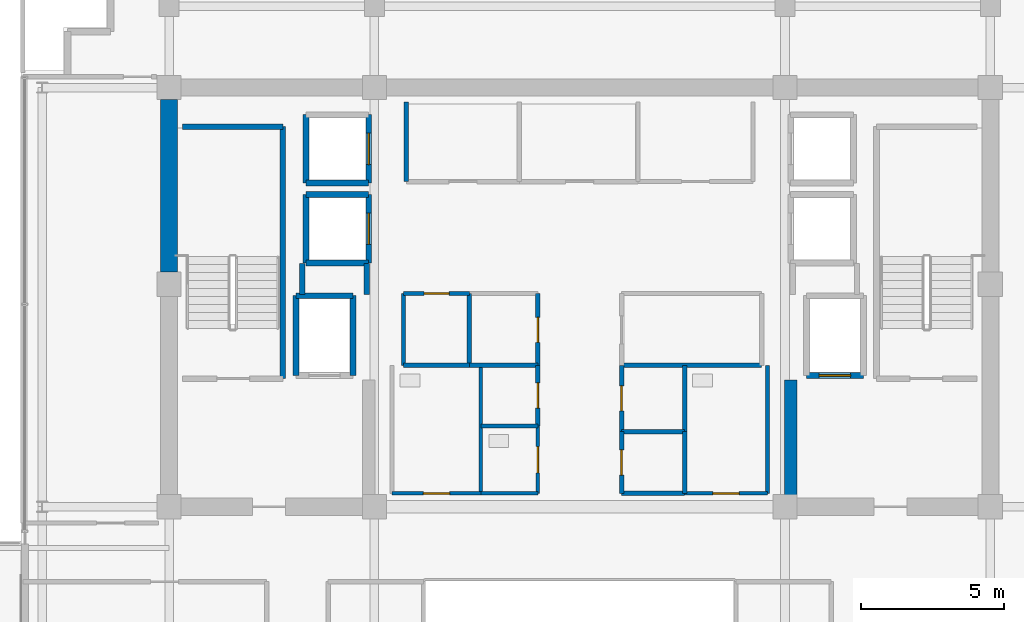
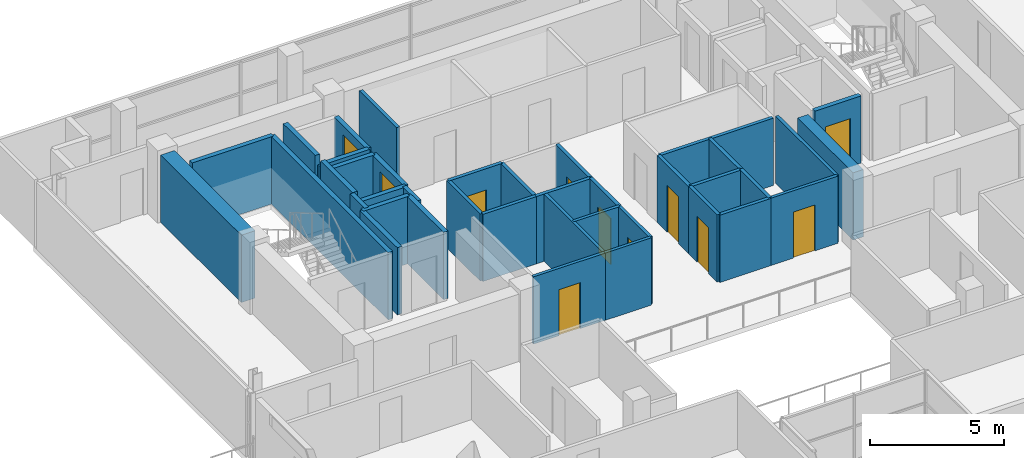
# One storey, part 16 of 21: 39 walls, 11 doors, 11 openings.
"""IFC4 building model written with IfcOpenShell, lengths in metres."""

from ifc_helpers import new_model, si_unit, direction, frame, frame_2d, origin, place, context, subcontext, project, spatial, rectangle, extrude, source, transform, mapped, material, layer, layer_set, type_object, element, fill, save


model = new_model("IFC4")

# Units and contexts
model_context = context("Model", 3, precision=1e-05, world=origin(), true_north=direction((0.0, 1.0)))
body_context = subcontext(model_context, "Body", "Model", "MODEL_VIEW")
ifc_project = project(units=[si_unit("LENGTHUNIT", "METRE"), si_unit("AREAUNIT", "SQUARE_METRE"), si_unit("VOLUMEUNIT", "CUBIC_METRE"), si_unit("PLANEANGLEUNIT", "RADIAN"), si_unit("MASSUNIT", "GRAM", prefix="KILO")], contexts=[model_context])

# Site, building, storey
site_placement = place(None, origin())
site = spatial("IfcSite", under=ifc_project, at=site_placement, CompositionType="ELEMENT")
building_placement = place(site_placement, origin())
building = spatial("IfcBuilding", under=site, at=building_placement, Name="Zarnakvel Exchange Tower", CompositionType="ELEMENT")
storey_placement = place(building_placement, frame((0.0, 0.0, 241.89990234375)))
storey = spatial("IfcBuildingStorey", under=building, at=storey_placement, Name="L68", CompositionType="ELEMENT", Elevation=241.89990234375)

# Walls
ifc_material_1 = material(Name="Concrete C50/60", Category="concrete")
ifc_layer_1 = layer(ifc_material_1, 0.60009765625)
ifc_layer_set_1 = layer_set([ifc_layer_1], Name="Concrete C50/60")
wall_type_1 = type_object("IfcWallType", Name="CW-C5", PredefinedType="SHEAR", material=ifc_layer_set_1)
wall_1_placement = place(storey_placement, frame((-14.39990234375, 7.02490234375, 0.0), z_axis=(0.0, 0.0, 1.0), x_axis=(0.0, 1.0, 0.0)))
element("IfcWall", 1, at=wall_1_placement, inside=storey, type_object=wall_type_1, Name="L68 Rear Core Shear Wall W2 (CW-C5)", PredefinedType="SHEAR", context=body_context, shape_type="SweptSolid", body=[
    extrude(rectangle(XDim=6.050048828125, YDim=0.60009765625, at=frame_2d((3.02490234375, 0.0))), origin(), (0.0, 0.0, 1.0), 3.0751953125),
])
ifc_layer_2 = layer(ifc_material_1, 0.449951171875)
ifc_layer_set_2 = layer_set([ifc_layer_2], Name="Concrete C50/60")
wall_type_2 = type_object("IfcWallType", Name="CW-C6", PredefinedType="SHEAR", material=ifc_layer_set_2)
wall_2_placement = place(storey_placement, frame((7.39990234375, -0.89990234375, 0.0), z_axis=(0.0, 0.0, 1.0), x_axis=(0.0, 1.0, 0.0)))
element("IfcWall", 2, at=wall_2_placement, inside=storey, type_object=wall_type_2, Name="L68 Rear Core Shear Wall IE (CW-C6)", PredefinedType="SHEAR", context=body_context, shape_type="SweptSolid", body=[
    extrude(rectangle(XDim=4.14990234375, YDim=0.449951171875, at=frame_2d((2.074951171875, 0.0))), origin(), (0.0, 0.0, 1.0), 3.0751953125),
])
ifc_material_2 = material(Name="Fire-Rated Gypsum Stud Partition", Category="gypsum")
ifc_layer_3 = layer(ifc_material_2, 0.14990234375)
ifc_layer_set_3 = layer_set([ifc_layer_3], Name="Fire-Rated Gypsum Stud Partition")
wall_type_3 = type_object("IfcWallType", Name="PT-01", PredefinedType="PARTITIONING", material=ifc_layer_set_3)
wall_3_placement = place(storey_placement, frame((-6.080078125, 10.199951171875, 0.0), z_axis=(0.0, 0.0, 1.0), x_axis=(0.0, 1.0, 0.0)))
element("IfcWall", 3, at=wall_3_placement, inside=storey, type_object=wall_type_3, Name="L68 Partition Wall PWALL-L68-012 (PT-01)", PredefinedType="PARTITIONING", context=body_context, shape_type="SweptSolid", body=[
    extrude(rectangle(XDim=2.800048828125, YDim=0.14990234375, at=frame_2d((1.39990234375, 0.0))), origin(), (0.0, 0.0, 1.0), 3.0751953125),
])
wall_4_placement = place(storey_placement, frame((-3.8701171875, 3.760009765625, 0.0), z_axis=(0.0, 0.0, 1.0), x_axis=(-1.0, 0.0, 0.0)))
element("IfcWall", 4, at=wall_4_placement, inside=storey, type_object=wall_type_3, Name="L68 Partition Wall PWALL-L68-018 (PT-01)", PredefinedType="PARTITIONING", context=body_context, shape_type="SweptSolid", body=[
    extrude(rectangle(XDim=2.309814453125, YDim=0.14990234375, at=frame_2d((1.15478515625, 0.0))), origin(), (0.0, 0.0, 1.0), 3.0751953125),
])

# Wall, opening, door
wall_5_placement = place(storey_placement, frame((-6.179931640625, 6.280029296875, 0.0), z_axis=(0.0, 0.0, 1.0), x_axis=(1.0, 0.0, 0.0)))
wall_5 = element("IfcWall", 5, at=wall_5_placement, inside=storey, type_object=wall_type_3, Name="L68 Partition Wall PWALL-L68-019 (PT-01)", PredefinedType="PARTITIONING", context=body_context, shape_type="SweptSolid", body=[
    extrude(rectangle(XDim=2.309814453125, YDim=0.14990234375, at=frame_2d((1.15478515625, 0.0))), origin(), (0.0, 0.0, 1.0), 3.0751953125),
])
opening_1_placement = place(wall_5_placement, frame((0.719970703125, 0.0, 0.0)))
opening_1 = element("IfcOpeningElement", 6, at=opening_1_placement, cuts=wall_5, Name="Opening D-L68-08", PredefinedType="OPENING", context=body_context, shape_type="SweptSolid", body=[
    extrude(rectangle(XDim=0.8798828125, YDim=2.10009765625, at=frame_2d((0.43994140625, 1.050048828125))), frame((0.0, 0.0849609375, 0.0), z_axis=(0.0, -1.0, 0.0), x_axis=(1.0, 0.0, 0.0)), (0.0, 0.0, 1.0), 0.169921875),
])
ifc_material_3 = material(Name="Painted Galvanised Steel S355", Category="steel")
door_type_1 = type_object("IfcDoorType", Name="DT-08", OperationType="NOTDEFINED", PredefinedType="DOOR", material=ifc_material_3)
shared_shape_1 = source(origin(), body_context, "Body", "SweptSolid", [
    extrude(rectangle(XDim=0.8798828125, YDim=2.10009765625, at=frame_2d((0.43994140625, 1.050048828125))), frame((0.0, 0.02490234375, 0.0), z_axis=(0.0, -1.0, 0.0), x_axis=(1.0, 0.0, 0.0)), (0.0, 0.0, 1.0), 0.050048828125),
])
door_1_placement = place(opening_1_placement, origin())
door_1 = element("IfcDoor", 7, at=door_1_placement, inside=storey, type_object=door_type_1, Name="L68 Audit Filing Store Door D-L68-08", OperationType="SINGLE_SWING_RIGHT", OverallHeight=2.10009765625, OverallWidth=0.8798828125, PredefinedType="DOOR", context=body_context, shape_type="MappedRepresentation", body=[
    mapped(shared_shape_1, transform((0.0, 0.0, 0.0), x_axis=(1.0, 0.0, 0.0), y_axis=(0.0, 1.0, 0.0), z_axis=(0.0, 0.0, 1.0), scale=1.0)),
])
fill(opening_1, door_1)

# Walls
for number, where, z_axis, x_axis, name in (
    (8, (-6.179931640625, 3.760009765625, 0.0), (0.0, 0.0, 1.0), (0.0, 1.0, 0.0), "L68 Partition Wall PWALL-L68-020 (PT-01)"),
    (9, (-3.8701171875, 6.280029296875, 0.0), (0.0, 0.0, 1.0), (0.0, -1.0, 0.0), "L68 Partition Wall PWALL-L68-021 (PT-01)"),
):
    element("IfcWall", number, at=place(storey_placement, frame(where, z_axis=z_axis, x_axis=x_axis)), inside=storey, type_object=wall_type_3, Name=name, PredefinedType="PARTITIONING", context=body_context, shape_type="SweptSolid", body=[
        extrude(rectangle(XDim=2.52001953125, YDim=0.14990234375, at=frame_2d((1.260009765625, 0.0))), origin(), (0.0, 0.0, 1.0), 3.0751953125),
    ])
wall_6_placement = place(storey_placement, frame((-1.469970703125, 3.760009765625, 0.0), z_axis=(0.0, 0.0, 1.0), x_axis=(-1.0, 0.0, 0.0)))
element("IfcWall", 10, at=wall_6_placement, inside=storey, type_object=wall_type_3, Name="L68 Partition Wall PWALL-L68-022 (PT-01)", PredefinedType="PARTITIONING", context=body_context, shape_type="SweptSolid", body=[
    extrude(rectangle(XDim=2.400146484375, YDim=0.14990234375, at=frame_2d((1.2001953125, 0.0))), origin(), (0.0, 0.0, 1.0), 3.0751953125),
])

# Wall, opening, door
wall_7_placement = place(storey_placement, frame((-1.469970703125, 6.280029296875, 0.0), z_axis=(0.0, 0.0, 1.0), x_axis=(0.0, -1.0, 0.0)))
wall_7 = element("IfcWall", 11, at=wall_7_placement, inside=storey, type_object=wall_type_3, Name="L68 Partition Wall PWALL-L68-024 (PT-01)", PredefinedType="PARTITIONING", context=body_context, shape_type="SweptSolid", body=[
    extrude(rectangle(XDim=2.52001953125, YDim=0.14990234375, at=frame_2d((1.260009765625, 0.0))), origin(), (0.0, 0.0, 1.0), 3.0751953125),
])
opening_2_placement = place(wall_7_placement, frame((0.840087890625, 0.0, 0.0)))
opening_2 = element("IfcOpeningElement", 12, at=opening_2_placement, cuts=wall_7, Name="Opening D-L68-09", PredefinedType="OPENING", context=body_context, shape_type="SweptSolid", body=[
    extrude(rectangle(XDim=0.8798828125, YDim=2.10009765625, at=frame_2d((0.43994140625, 1.050048828125))), frame((0.0, 0.0849609375, 0.0), z_axis=(0.0, -1.0, 0.0), x_axis=(1.0, 0.0, 0.0)), (0.0, 0.0, 1.0), 0.169921875),
])
door_2_placement = place(opening_2_placement, origin())
door_2 = element("IfcDoor", 13, at=door_2_placement, inside=storey, type_object=door_type_1, Name="L68 Core Records Store Door D-L68-09", OperationType="SINGLE_SWING_LEFT", OverallHeight=2.10009765625, OverallWidth=0.8798828125, PredefinedType="DOOR", context=body_context, shape_type="MappedRepresentation", body=[
    mapped(shared_shape_1, transform((0.0, 0.0, 0.0), x_axis=(1.0, 0.0, 0.0), y_axis=(0.0, 1.0, 0.0), z_axis=(0.0, 0.0, 1.0), scale=1.0)),
])
fill(opening_2, door_2)

# Wall
wall_8_placement = place(storey_placement, frame((6.3798828125, 3.760009765625, 0.0), z_axis=(0.0, 0.0, 1.0), x_axis=(-1.0, 0.0, 0.0)))
element("IfcWall", 14, at=wall_8_placement, inside=storey, type_object=wall_type_3, Name="L68 Partition Wall PWALL-L68-025 (PT-01)", PredefinedType="PARTITIONING", context=body_context, shape_type="SweptSolid", body=[
    extrude(rectangle(XDim=4.909912109375, YDim=0.14990234375, at=frame_2d((2.455078125, 0.0))), origin(), (0.0, 0.0, 1.0), 3.0751953125),
])

# Wall, opening, door
wall_9_placement = place(storey_placement, frame((-1.469970703125, 3.760009765625, 0.0), z_axis=(0.0, 0.0, 1.0), x_axis=(0.0, -1.0, 0.0)))
wall_9 = element("IfcWall", 15, at=wall_9_placement, inside=storey, type_object=wall_type_3, Name="L68 Partition Wall PWALL-L68-035 (PT-01)", PredefinedType="PARTITIONING", context=body_context, shape_type="SweptSolid", body=[
    extrude(rectangle(XDim=2.130126953125, YDim=0.14990234375, at=frame_2d((1.06494140625, 0.0))), origin(), (0.0, 0.0, 1.0), 3.0751953125),
])
opening_3_placement = place(wall_9_placement, frame((0.6201171875, 0.0, 0.0)))
opening_3 = element("IfcOpeningElement", 16, at=opening_3_placement, cuts=wall_9, Name="Opening D-L68-13", PredefinedType="OPENING", context=body_context, shape_type="SweptSolid", body=[
    extrude(rectangle(XDim=0.8798828125, YDim=2.10009765625, at=frame_2d((0.43994140625, 1.050048828125))), frame((0.0, 0.0849609375, 0.0), z_axis=(0.0, -1.0, 0.0), x_axis=(1.0, 0.0, 0.0)), (0.0, 0.0, 1.0), 0.169921875),
])
door_3_placement = place(opening_3_placement, origin())
door_3 = element("IfcDoor", 17, at=door_3_placement, inside=storey, type_object=door_type_1, Name="L68 Core Comms Room Door D-L68-13", OperationType="SINGLE_SWING_LEFT", OverallHeight=2.10009765625, OverallWidth=0.8798828125, PredefinedType="DOOR", context=body_context, shape_type="MappedRepresentation", body=[
    mapped(shared_shape_1, transform((0.0, 0.0, 0.0), x_axis=(1.0, 0.0, 0.0), y_axis=(0.0, 1.0, 0.0), z_axis=(0.0, 0.0, 1.0), scale=1.0)),
])
fill(opening_3, door_3)

# Walls
for number, where, z_axis, x_axis, name in (
    (18, (3.679931640625, -0.72998046875, 0.0), (0.0, 0.0, 1.0), (-1.0, 0.0, 0.0), "L68 Partition Wall PWALL-L68-036 (PT-01)"),
    (19, (1.469970703125, 1.429931640625, 0.0), (0.0, 0.0, 1.0), (1.0, 0.0, 0.0), "L68 Partition Wall PWALL-L68-037 (PT-01)"),
):
    element("IfcWall", number, at=place(storey_placement, frame(where, z_axis=z_axis, x_axis=x_axis)), inside=storey, type_object=wall_type_3, Name=name, PredefinedType="PARTITIONING", context=body_context, shape_type="SweptSolid", body=[
        extrude(rectangle(XDim=2.2099609375, YDim=0.14990234375, at=frame_2d((1.10498046875, 0.0))), origin(), (0.0, 0.0, 1.0), 3.0751953125),
    ])

# Wall, opening, door
wall_10_placement = place(storey_placement, frame((1.469970703125, -0.72998046875, 0.0), z_axis=(0.0, 0.0, 1.0), x_axis=(0.0, 1.0, 0.0)))
wall_10 = element("IfcWall", 20, at=wall_10_placement, inside=storey, type_object=wall_type_3, Name="L68 Partition Wall PWALL-L68-038 (PT-01)", PredefinedType="PARTITIONING", context=body_context, shape_type="SweptSolid", body=[
    extrude(rectangle(XDim=2.159912109375, YDim=0.14990234375, at=frame_2d((1.080078125, 0.0))), origin(), (0.0, 0.0, 1.0), 3.0751953125),
])
opening_4_placement = place(wall_10_placement, frame((0.639892578125, 0.0, 0.0)))
opening_4 = element("IfcOpeningElement", 21, at=opening_4_placement, cuts=wall_10, Name="Opening D-L68-14", PredefinedType="OPENING", context=body_context, shape_type="SweptSolid", body=[
    extrude(rectangle(XDim=0.8798828125, YDim=2.10009765625, at=frame_2d((0.43994140625, 1.050048828125))), frame((0.0, 0.0849609375, 0.0), z_axis=(0.0, -1.0, 0.0), x_axis=(1.0, 0.0, 0.0)), (0.0, 0.0, 1.0), 0.169921875),
])
door_4_placement = place(opening_4_placement, origin())
door_4 = element("IfcDoor", 22, at=door_4_placement, inside=storey, type_object=door_type_1, Name="L68 Janitor Store Door D-L68-14", OperationType="SINGLE_SWING_RIGHT", OverallHeight=2.10009765625, OverallWidth=0.8798828125, PredefinedType="DOOR", context=body_context, shape_type="MappedRepresentation", body=[
    mapped(shared_shape_1, transform((0.0, 0.0, 0.0), x_axis=(1.0, 0.0, 0.0), y_axis=(0.0, 1.0, 0.0), z_axis=(0.0, 0.0, 1.0), scale=1.0)),
])
fill(opening_4, door_4)

# Wall
wall_11_placement = place(storey_placement, frame((3.679931640625, 1.429931640625, 0.0), z_axis=(0.0, 0.0, 1.0), x_axis=(0.0, -1.0, 0.0)))
element("IfcWall", 23, at=wall_11_placement, inside=storey, type_object=wall_type_3, Name="L68 Partition Wall PWALL-L68-039 (PT-01)", PredefinedType="PARTITIONING", context=body_context, shape_type="SweptSolid", body=[
    extrude(rectangle(XDim=2.159912109375, YDim=0.14990234375, at=frame_2d((1.080078125, 0.0))), origin(), (0.0, 0.0, 1.0), 3.0751953125),
])

# Wall, opening, door
wall_12_placement = place(storey_placement, frame((1.469970703125, 1.429931640625, 0.0), z_axis=(0.0, 0.0, 1.0), x_axis=(0.0, 1.0, 0.0)))
wall_12 = element("IfcWall", 24, at=wall_12_placement, inside=storey, type_object=wall_type_3, Name="L68 Partition Wall PWALL-L68-040 (PT-01)", PredefinedType="PARTITIONING", context=body_context, shape_type="SweptSolid", body=[
    extrude(rectangle(XDim=2.330078125, YDim=0.14990234375, at=frame_2d((1.1650390625, 0.0))), origin(), (0.0, 0.0, 1.0), 3.0751953125),
])
opening_5_placement = place(wall_12_placement, frame((0.72998046875, 0.0, 0.0)))
opening_5 = element("IfcOpeningElement", 25, at=opening_5_placement, cuts=wall_12, Name="Opening D-L68-15", PredefinedType="OPENING", context=body_context, shape_type="SweptSolid", body=[
    extrude(rectangle(XDim=0.8798828125, YDim=2.14990234375, at=frame_2d((0.43994140625, 1.074951171875))), frame((0.0, 0.0849609375, 0.0), z_axis=(0.0, -1.0, 0.0), x_axis=(1.0, 0.0, 0.0)), (0.0, 0.0, 1.0), 0.169921875),
])
ifc_material_4 = material(Name="Timber Acoustic Veneer", Category="wood")
door_type_2 = type_object("IfcDoorType", Name="DT-05", OperationType="NOTDEFINED", PredefinedType="DOOR", material=ifc_material_4)
shared_shape_2 = source(origin(), body_context, "Body", "SweptSolid", [
    extrude(rectangle(XDim=0.8798828125, YDim=2.14990234375, at=frame_2d((0.43994140625, 1.074951171875))), frame((0.0, 0.02490234375, 0.0), z_axis=(0.0, -1.0, 0.0), x_axis=(1.0, 0.0, 0.0)), (0.0, 0.0, 1.0), 0.050048828125),
])
door_5_placement = place(opening_5_placement, origin())
door_5 = element("IfcDoor", 26, at=door_5_placement, inside=storey, type_object=door_type_2, Name="L68 Stationery Store Door D-L68-15", OperationType="SINGLE_SWING_LEFT", OverallHeight=2.14990234375, OverallWidth=0.8798828125, PredefinedType="DOOR", context=body_context, shape_type="MappedRepresentation", body=[
    mapped(shared_shape_2, transform((0.0, 0.0, 0.0), x_axis=(1.0, 0.0, 0.0), y_axis=(0.0, 1.0, 0.0), z_axis=(0.0, 0.0, 1.0), scale=1.0)),
])
fill(opening_5, door_5)

# Walls
wall_13_placement = place(storey_placement, frame((3.679931640625, 3.760009765625, 0.0), z_axis=(0.0, 0.0, 1.0), x_axis=(0.0, -1.0, 0.0)))
element("IfcWall", 27, at=wall_13_placement, inside=storey, type_object=wall_type_3, Name="L68 Partition Wall PWALL-L68-041 (PT-01)", PredefinedType="PARTITIONING", context=body_context, shape_type="SweptSolid", body=[
    extrude(rectangle(XDim=2.330078125, YDim=0.14990234375, at=frame_2d((1.1650390625, 0.0))), origin(), (0.0, 0.0, 1.0), 3.0751953125),
])
ifc_layer_4 = layer(ifc_material_2, 0.179931640625)
ifc_layer_set_4 = layer_set([ifc_layer_4], Name="Fire-Rated Gypsum Stud Partition")
wall_type_4 = type_object("IfcWallType", Name="PT-02", PredefinedType="PARTITIONING", material=ifc_layer_set_4)
wall_14_placement = place(storey_placement, frame((-9.72998046875, 6.239990234375, 0.0), z_axis=(0.0, 0.0, 1.0), x_axis=(0.0, 1.0, 0.0)))
element("IfcWall", 28, at=wall_14_placement, inside=storey, type_object=wall_type_4, Name="L68 Partition Wall PWALL-L68-007 (PT-02)", PredefinedType="PARTITIONING", context=body_context, shape_type="SweptSolid", body=[
    extrude(rectangle(XDim=1.090087890625, YDim=0.179931640625, at=frame_2d((0.544921875, 0.0))), origin(), (0.0, 0.0, 1.0), 3.0751953125),
])
wall_15_placement = place(storey_placement, frame((-7.469970703125, 7.330078125, 0.0), z_axis=(0.0, 0.0, 1.0), x_axis=(0.0, -1.0, 0.0)))
element("IfcWall", 29, at=wall_15_placement, inside=storey, type_object=wall_type_4, Name="L68 Partition Wall PWALL-L68-008 (PT-02)", PredefinedType="PARTITIONING", context=body_context, shape_type="SweptSolid", body=[
    extrude(rectangle(XDim=1.090087890625, YDim=0.179931640625, at=frame_2d((0.544921875, 0.0))), origin(), (0.0, 0.0, 1.0), 2.614990234375),
])

# Wall, opening, door
ifc_material_5 = material(Name="Moisture-Resistant Tile-Faced Partition", Category="gypsum")
ifc_layer_5 = layer(ifc_material_5, 0.135009765625)
ifc_layer_set_5 = layer_set([ifc_layer_5], Name="Moisture-Resistant Tile-Faced Partition")
wall_type_5 = type_object("IfcWallType", Name="PT-03", PredefinedType="PARTITIONING", material=ifc_layer_set_5)
wall_16_placement = place(storey_placement, frame((-3.469970703125, -0.72998046875, 0.0), z_axis=(0.0, 0.0, 1.0), x_axis=(-1.0, 0.0, 0.0)))
wall_16 = element("IfcWall", 30, at=wall_16_placement, inside=storey, type_object=wall_type_5, Name="L68 Partition Wall PWALL-L68-029 (PT-03)", PredefinedType="PARTITIONING", context=body_context, shape_type="SweptSolid", body=[
    extrude(rectangle(XDim=3.110107421875, YDim=0.135009765625, at=frame_2d((1.55517578125, 0.0))), origin(), (0.0, 0.0, 1.0), 3.0751953125),
])
opening_6_placement = place(wall_16_placement, frame((1.090087890625, 0.0, 0.0)))
opening_6 = element("IfcOpeningElement", 31, at=opening_6_placement, cuts=wall_16, Name="Opening D-L68-11", PredefinedType="OPENING", context=body_context, shape_type="SweptSolid", body=[
    extrude(rectangle(XDim=0.919921875, YDim=2.10009765625, at=frame_2d((0.4599609375, 1.050048828125))), frame((0.0, 0.077392578125, 0.0), z_axis=(0.0, -1.0, 0.0), x_axis=(1.0, 0.0, 0.0)), (0.0, 0.0, 1.0), 0.155029296875),
])
ifc_material_6 = material(Name="Moisture-Resistant Laminate Timber", Category="wood")
door_type_3 = type_object("IfcDoorType", Name="DT-07", OperationType="NOTDEFINED", PredefinedType="DOOR", material=ifc_material_6)
shared_shape_3 = source(origin(), body_context, "Body", "SweptSolid", [
    extrude(rectangle(XDim=0.919921875, YDim=2.10009765625, at=frame_2d((0.4599609375, 1.050048828125))), frame((0.0, 0.02490234375, 0.0), z_axis=(0.0, -1.0, 0.0), x_axis=(1.0, 0.0, 0.0)), (0.0, 0.0, 1.0), 0.050048828125),
])
door_6_placement = place(opening_6_placement, origin())
door_6 = element("IfcDoor", 32, at=door_6_placement, inside=storey, type_object=door_type_3, Name="L68 Male Toilet Door D-L68-11", OperationType="SINGLE_SWING_LEFT", OverallHeight=2.10009765625, OverallWidth=0.919921875, PredefinedType="DOOR", context=body_context, shape_type="MappedRepresentation", body=[
    mapped(shared_shape_3, transform((0.0, 0.0, 0.0), x_axis=(1.0, 0.0, 0.0), y_axis=(0.0, 1.0, 0.0), z_axis=(0.0, 0.0, 1.0), scale=1.0)),
])
fill(opening_6, door_6)

# Walls
wall_17_placement = place(storey_placement, frame((-3.469970703125, 3.760009765625, 0.0), z_axis=(0.0, 0.0, 1.0), x_axis=(0.0, -1.0, 0.0)))
element("IfcWall", 33, at=wall_17_placement, inside=storey, type_object=wall_type_5, Name="L68 Partition Wall PWALL-L68-031 (PT-03)", PredefinedType="PARTITIONING", context=body_context, shape_type="SweptSolid", body=[
    extrude(rectangle(XDim=4.489990234375, YDim=0.135009765625, at=frame_2d((2.2451171875, 0.0))), origin(), (0.0, 0.0, 1.0), 3.0751953125),
])
for number, where, z_axis, x_axis, name in (
    (34, (-1.469970703125, -0.72998046875, 0.0), (0.0, 0.0, 1.0), (-1.0, 0.0, 0.0), "L68 Partition Wall PWALL-L68-032 (PT-03)"),
    (35, (-3.469970703125, 1.6298828125, 0.0), (0.0, 0.0, 1.0), (1.0, 0.0, 0.0), "L68 Partition Wall PWALL-L68-033 (PT-03)"),
):
    element("IfcWall", number, at=place(storey_placement, frame(where, z_axis=z_axis, x_axis=x_axis)), inside=storey, type_object=wall_type_5, Name=name, PredefinedType="PARTITIONING", context=body_context, shape_type="SweptSolid", body=[
        extrude(rectangle(XDim=2.0, YDim=0.135009765625, at=frame_2d((1.0, 0.0))), origin(), (0.0, 0.0, 1.0), 3.0751953125),
    ])

# Wall, opening, door
wall_18_placement = place(storey_placement, frame((-1.469970703125, 1.6298828125, 0.0), z_axis=(0.0, 0.0, 1.0), x_axis=(0.0, -1.0, 0.0)))
wall_18 = element("IfcWall", 36, at=wall_18_placement, inside=storey, type_object=wall_type_5, Name="L68 Partition Wall PWALL-L68-034 (PT-03)", PredefinedType="PARTITIONING", context=body_context, shape_type="SweptSolid", body=[
    extrude(rectangle(XDim=2.35986328125, YDim=0.135009765625, at=frame_2d((1.179931640625, 0.0))), origin(), (0.0, 0.0, 1.0), 3.0751953125),
])
opening_7_placement = place(wall_18_placement, frame((0.719970703125, 0.0, 0.0)))
opening_7 = element("IfcOpeningElement", 37, at=opening_7_placement, cuts=wall_18, Name="Opening D-L68-12", PredefinedType="OPENING", context=body_context, shape_type="SweptSolid", body=[
    extrude(rectangle(XDim=0.919921875, YDim=2.10009765625, at=frame_2d((0.4599609375, 1.050048828125))), frame((0.0, 0.077392578125, 0.0), z_axis=(0.0, -1.0, 0.0), x_axis=(1.0, 0.0, 0.0)), (0.0, 0.0, 1.0), 0.155029296875),
])
door_7_placement = place(opening_7_placement, origin())
door_7 = element("IfcDoor", 38, at=door_7_placement, inside=storey, type_object=door_type_3, Name="L68 Accessible Toilet Door D-L68-12", OperationType="SINGLE_SWING_RIGHT", OverallHeight=2.10009765625, OverallWidth=0.919921875, PredefinedType="DOOR", context=body_context, shape_type="MappedRepresentation", body=[
    mapped(shared_shape_3, transform((0.0, 0.0, 0.0), x_axis=(1.0, 0.0, 0.0), y_axis=(0.0, 1.0, 0.0), z_axis=(0.0, 0.0, 1.0), scale=1.0)),
])
fill(opening_7, door_7)

wall_19_placement = place(storey_placement, frame((6.580078125, -0.72998046875, 0.0), z_axis=(0.0, 0.0, 1.0), x_axis=(-1.0, 0.0, 0.0)))
wall_19 = element("IfcWall", 39, at=wall_19_placement, inside=storey, type_object=wall_type_5, Name="L68 Partition Wall PWALL-L68-042 (PT-03)", PredefinedType="PARTITIONING", context=body_context, shape_type="SweptSolid", body=[
    extrude(rectangle(XDim=2.900146484375, YDim=0.135009765625, at=frame_2d((1.4501953125, 0.0))), origin(), (0.0, 0.0, 1.0), 3.0751953125),
])
opening_8_placement = place(wall_19_placement, frame((0.989990234375, 0.0, 0.0)))
opening_8 = element("IfcOpeningElement", 40, at=opening_8_placement, cuts=wall_19, Name="Opening D-L68-16", PredefinedType="OPENING", context=body_context, shape_type="SweptSolid", body=[
    extrude(rectangle(XDim=0.919921875, YDim=2.10009765625, at=frame_2d((0.4599609375, 1.050048828125))), frame((0.0, 0.077392578125, 0.0), z_axis=(0.0, -1.0, 0.0), x_axis=(1.0, 0.0, 0.0)), (0.0, 0.0, 1.0), 0.155029296875),
])
door_8_placement = place(opening_8_placement, origin())
door_8 = element("IfcDoor", 41, at=door_8_placement, inside=storey, type_object=door_type_3, Name="L68 Female Toilet Door D-L68-16", OperationType="SINGLE_SWING_RIGHT", OverallHeight=2.10009765625, OverallWidth=0.919921875, PredefinedType="DOOR", context=body_context, shape_type="MappedRepresentation", body=[
    mapped(shared_shape_3, transform((0.0, 0.0, 0.0), x_axis=(1.0, 0.0, 0.0), y_axis=(0.0, 1.0, 0.0), z_axis=(0.0, 0.0, 1.0), scale=1.0)),
])
fill(opening_8, door_8)

# Walls
wall_20_placement = place(storey_placement, frame((6.580078125, 3.760009765625, 0.0), z_axis=(0.0, 0.0, 1.0), x_axis=(0.0, -1.0, 0.0)))
element("IfcWall", 42, at=wall_20_placement, inside=storey, type_object=wall_type_5, Name="L68 Partition Wall PWALL-L68-043 (PT-03)", PredefinedType="PARTITIONING", context=body_context, shape_type="SweptSolid", body=[
    extrude(rectangle(XDim=4.489990234375, YDim=0.135009765625, at=frame_2d((2.2451171875, 0.0))), origin(), (0.0, 0.0, 1.0), 3.0751953125),
])
ifc_material_7 = material(Name="Concrete C40/50", Category="concrete")
ifc_layer_6 = layer(ifc_material_7, 0.199951171875)
ifc_layer_set_6 = layer_set([ifc_layer_6], Name="Concrete C40/50")
wall_type_6 = type_object("IfcWallType", Name="SW-01", PredefinedType="SOLIDWALL", material=ifc_layer_set_6)
wall_21_placement = place(storey_placement, frame((-9.949951171875, 6.199951171875, 0.0), z_axis=(0.0, 0.0, 1.0), x_axis=(1.0, 0.0, 0.0)))
element("IfcWall", 43, at=wall_21_placement, inside=storey, type_object=wall_type_6, Name="L68 FL-01 Hoistway Wall North", PredefinedType="SOLIDWALL", context=body_context, shape_type="SweptSolid", body=[
    extrude(rectangle(XDim=2.0, YDim=0.199951171875, at=frame_2d((1.0, 0.0))), origin(), (0.0, 0.0, 1.0), 3.0751953125),
])
for number, where, z_axis, x_axis, name in (
    (44, (-9.949951171875, 3.39990234375, 0.0), (0.0, 0.0, 1.0), (0.0, 1.0, 0.0), "L68 FL-01 Hoistway Wall West"),
    (45, (-7.949951171875, 6.199951171875, 0.0), (0.0, 0.0, 1.0), (0.0, -1.0, 0.0), "L68 FL-01 Hoistway Wall East"),
):
    element("IfcWall", number, at=place(storey_placement, frame(where, z_axis=z_axis, x_axis=x_axis)), inside=storey, type_object=wall_type_6, Name=name, PredefinedType="SOLIDWALL", context=body_context, shape_type="SweptSolid", body=[
        extrude(rectangle(XDim=2.800048828125, YDim=0.199951171875, at=frame_2d((1.39990234375, 0.0))), origin(), (0.0, 0.0, 1.0), 3.0751953125),
    ])

# Wall, opening, door
wall_22_placement = place(storey_placement, frame((9.949951171875, 3.39990234375, 0.0), z_axis=(0.0, 0.0, 1.0), x_axis=(-1.0, 0.0, 0.0)))
wall_22 = element("IfcWall", 46, at=wall_22_placement, inside=storey, type_object=wall_type_6, Name="L68 FL-02 Hoistway Wall South", PredefinedType="SOLIDWALL", context=body_context, shape_type="SweptSolid", body=[
    extrude(rectangle(XDim=2.0, YDim=0.199951171875, at=frame_2d((1.0, 0.0))), origin(), (0.0, 0.0, 1.0), 3.0751953125),
])
opening_9_placement = place(wall_22_placement, frame((0.449951171875, 0.0, 0.0)))
opening_9 = element("IfcOpeningElement", 47, at=opening_9_placement, cuts=wall_22, Name="Opening LD-FL-02-L68", PredefinedType="OPENING", context=body_context, shape_type="SweptSolid", body=[
    extrude(rectangle(XDim=1.10009765625, YDim=2.199951171875, at=frame_2d((0.550048828125, 1.10009765625))), frame((0.0, 0.10986328125, 0.0), z_axis=(0.0, -1.0, 0.0), x_axis=(1.0, 0.0, 0.0)), (0.0, 0.0, 1.0), 0.219970703125),
])
ifc_material_8 = material(Name="Brushed Stainless Steel", Category="steel")
door_type_4 = type_object("IfcDoorType", Name="LDT-01", OperationType="NOTDEFINED", PredefinedType="DOOR", material=ifc_material_8)
shared_shape_4 = source(origin(), body_context, "Body", "SweptSolid", [
    extrude(rectangle(XDim=1.10009765625, YDim=2.199951171875, at=frame_2d((0.550048828125, 1.10009765625))), frame((0.0, 0.02490234375, 0.0), z_axis=(0.0, -1.0, 0.0), x_axis=(1.0, 0.0, 0.0)), (0.0, 0.0, 1.0), 0.050048828125),
])
door_9_placement = place(opening_9_placement, origin())
door_9 = element("IfcDoor", 48, at=door_9_placement, inside=storey, type_object=door_type_4, Name="L68 FL-02 Lift Landing Door LD-FL-02-L68", OperationType="DOUBLE_DOOR_SLIDING", OverallHeight=2.199951171875, OverallWidth=1.10009765625, PredefinedType="DOOR", context=body_context, shape_type="MappedRepresentation", body=[
    mapped(shared_shape_4, transform((0.0, 0.0, 0.0), x_axis=(1.0, 0.0, 0.0), y_axis=(0.0, 1.0, 0.0), z_axis=(0.0, 0.0, 1.0), scale=1.0)),
])
fill(opening_9, door_9)

# Walls
for number, where, z_axis, x_axis, name in (
    (49, (-7.39990234375, 7.35009765625, 0.0), (0.0, 0.0, 1.0), (-1.0, 0.0, 0.0), "L68 PL-09 Hoistway Wall South"),
    (50, (-9.60009765625, 9.75, 0.0), (0.0, 0.0, 1.0), (1.0, 0.0, 0.0), "L68 PL-09 Hoistway Wall North"),
):
    element("IfcWall", number, at=place(storey_placement, frame(where, z_axis=z_axis, x_axis=x_axis)), inside=storey, type_object=wall_type_6, Name=name, PredefinedType="SOLIDWALL", context=body_context, shape_type="SweptSolid", body=[
        extrude(rectangle(XDim=2.2001953125, YDim=0.199951171875, at=frame_2d((1.10009765625, 0.0))), origin(), (0.0, 0.0, 1.0), 2.614990234375),
    ])
wall_23_placement = place(storey_placement, frame((-9.60009765625, 7.35009765625, 0.0), z_axis=(0.0, 0.0, 1.0), x_axis=(0.0, 1.0, 0.0)))
element("IfcWall", 51, at=wall_23_placement, inside=storey, type_object=wall_type_6, Name="L68 PL-09 Hoistway Wall West", PredefinedType="SOLIDWALL", context=body_context, shape_type="SweptSolid", body=[
    extrude(rectangle(XDim=2.39990234375, YDim=0.199951171875, at=frame_2d((1.199951171875, 0.0))), origin(), (0.0, 0.0, 1.0), 3.0751953125),
])

# Wall, opening, door
wall_24_placement = place(storey_placement, frame((-7.39990234375, 9.75, 0.0), z_axis=(0.0, 0.0, 1.0), x_axis=(0.0, -1.0, 0.0)))
wall_24 = element("IfcWall", 52, at=wall_24_placement, inside=storey, type_object=wall_type_6, Name="L68 PL-09 Hoistway Wall East", PredefinedType="SOLIDWALL", context=body_context, shape_type="SweptSolid", body=[
    extrude(rectangle(XDim=2.39990234375, YDim=0.199951171875, at=frame_2d((1.199951171875, 0.0))), origin(), (0.0, 0.0, 1.0), 2.614990234375),
])
opening_10_placement = place(wall_24_placement, frame((0.64990234375, 0.0, 0.0)))
opening_10 = element("IfcOpeningElement", 53, at=opening_10_placement, cuts=wall_24, Name="Opening LD-PL-09-L68", PredefinedType="OPENING", context=body_context, shape_type="SweptSolid", body=[
    extrude(rectangle(XDim=1.10009765625, YDim=2.199951171875, at=frame_2d((0.550048828125, 1.10009765625))), frame((0.0, 0.10986328125, 0.0), z_axis=(0.0, -1.0, 0.0), x_axis=(1.0, 0.0, 0.0)), (0.0, 0.0, 1.0), 0.219970703125),
])
ifc_material_9 = material(Name="Architectural Bronze Anodised Aluminium", Category="aluminium")
door_type_5 = type_object("IfcDoorType", Name="LDT-02", OperationType="NOTDEFINED", PredefinedType="DOOR", material=ifc_material_9)
door_10_placement = place(opening_10_placement, origin())
door_10 = element("IfcDoor", 54, at=door_10_placement, inside=storey, type_object=door_type_5, Name="L68 PL-09 Lift Landing Door LD-PL-09-L68", OperationType="DOUBLE_DOOR_SLIDING", OverallHeight=2.199951171875, OverallWidth=1.10009765625, PredefinedType="DOOR", context=body_context, shape_type="MappedRepresentation", body=[
    mapped(shared_shape_4, transform((0.0, 0.0, 0.0), x_axis=(1.0, 0.0, 0.0), y_axis=(0.0, 1.0, 0.0), z_axis=(0.0, 0.0, 1.0), scale=1.0)),
])
fill(opening_10, door_10)

# Walls
wall_25_placement = place(storey_placement, frame((-7.39990234375, 10.14990234375, 0.0), z_axis=(0.0, 0.0, 1.0), x_axis=(-1.0, 0.0, 0.0)))
element("IfcWall", 55, at=wall_25_placement, inside=storey, type_object=wall_type_6, Name="L68 PL-10 Hoistway Wall South", PredefinedType="SOLIDWALL", context=body_context, shape_type="SweptSolid", body=[
    extrude(rectangle(XDim=2.2001953125, YDim=0.199951171875, at=frame_2d((1.10009765625, 0.0))), origin(), (0.0, 0.0, 1.0), 2.614990234375),
])
wall_26_placement = place(storey_placement, frame((-9.60009765625, 10.14990234375, 0.0), z_axis=(0.0, 0.0, 1.0), x_axis=(0.0, 1.0, 0.0)))
element("IfcWall", 56, at=wall_26_placement, inside=storey, type_object=wall_type_6, Name="L68 PL-10 Hoistway Wall West", PredefinedType="SOLIDWALL", context=body_context, shape_type="SweptSolid", body=[
    extrude(rectangle(XDim=2.400146484375, YDim=0.199951171875, at=frame_2d((1.2001953125, 0.0))), origin(), (0.0, 0.0, 1.0), 3.0751953125),
])

# Wall, opening, door
wall_27_placement = place(storey_placement, frame((-7.39990234375, 12.550048828125, 0.0), z_axis=(0.0, 0.0, 1.0), x_axis=(0.0, -1.0, 0.0)))
wall_27 = element("IfcWall", 57, at=wall_27_placement, inside=storey, type_object=wall_type_6, Name="L68 PL-10 Hoistway Wall East", PredefinedType="SOLIDWALL", context=body_context, shape_type="SweptSolid", body=[
    extrude(rectangle(XDim=2.400146484375, YDim=0.199951171875, at=frame_2d((1.2001953125, 0.0))), origin(), (0.0, 0.0, 1.0), 2.614990234375),
])
opening_11_placement = place(wall_27_placement, frame((0.64990234375, 0.0, 0.0)))
opening_11 = element("IfcOpeningElement", 58, at=opening_11_placement, cuts=wall_27, Name="Opening LD-PL-10-L68", PredefinedType="OPENING", context=body_context, shape_type="SweptSolid", body=[
    extrude(rectangle(XDim=1.10009765625, YDim=2.199951171875, at=frame_2d((0.550048828125, 1.10009765625))), frame((0.0, 0.10986328125, 0.0), z_axis=(0.0, -1.0, 0.0), x_axis=(1.0, 0.0, 0.0)), (0.0, 0.0, 1.0), 0.219970703125),
])
door_11_placement = place(opening_11_placement, origin())
door_11 = element("IfcDoor", 59, at=door_11_placement, inside=storey, type_object=door_type_5, Name="L68 PL-10 Lift Landing Door LD-PL-10-L68", OperationType="DOUBLE_DOOR_SLIDING", OverallHeight=2.199951171875, OverallWidth=1.10009765625, PredefinedType="DOOR", context=body_context, shape_type="MappedRepresentation", body=[
    mapped(shared_shape_4, transform((0.0, 0.0, 0.0), x_axis=(1.0, 0.0, 0.0), y_axis=(0.0, 1.0, 0.0), z_axis=(0.0, 0.0, 1.0), scale=1.0)),
])
fill(opening_11, door_11)

# Walls
ifc_layer_7 = layer(ifc_material_7, 0.199951171875)
ifc_layer_set_7 = layer_set([ifc_layer_7], Name="Concrete C40/50")
wall_type_7 = type_object("IfcWallType", Name="SW-02", PredefinedType="SOLIDWALL", material=ifc_layer_set_7)
wall_28_placement = place(storey_placement, frame((-13.929931640625, 12.1298828125, 0.0), z_axis=(0.0, 0.0, 1.0), x_axis=(1.0, 0.0, 0.0)))
element("IfcWall", 60, at=wall_28_placement, inside=storey, type_object=wall_type_7, Name="L68 Stairwell Core Wall PWALL-L68-002 (SW-02)", PredefinedType="SOLIDWALL", context=body_context, shape_type="SweptSolid", body=[
    extrude(rectangle(XDim=3.52001953125, YDim=0.199951171875, at=frame_2d((1.760009765625, 0.0))), origin(), (0.0, 0.0, 1.0), 3.0751953125),
])
wall_29_placement = place(storey_placement, frame((-10.409912109375, 12.1298828125, 0.0), z_axis=(0.0, 0.0, 1.0), x_axis=(0.0, -1.0, 0.0)))
element("IfcWall", 61, at=wall_29_placement, inside=storey, type_object=wall_type_7, Name="L68 Stairwell Core Wall PWALL-L68-003 (SW-02)", PredefinedType="SOLIDWALL", context=body_context, shape_type="SweptSolid", body=[
    extrude(rectangle(XDim=8.83984375, YDim=0.199951171875, at=frame_2d((4.419921875, 0.0))), origin(), (0.0, 0.0, 1.0), 3.0751953125),
])

save(model, "model.ifc")
